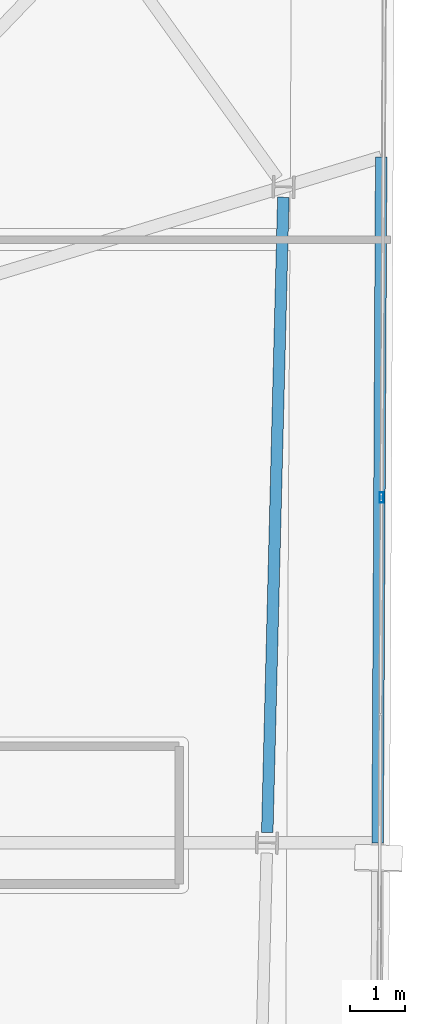
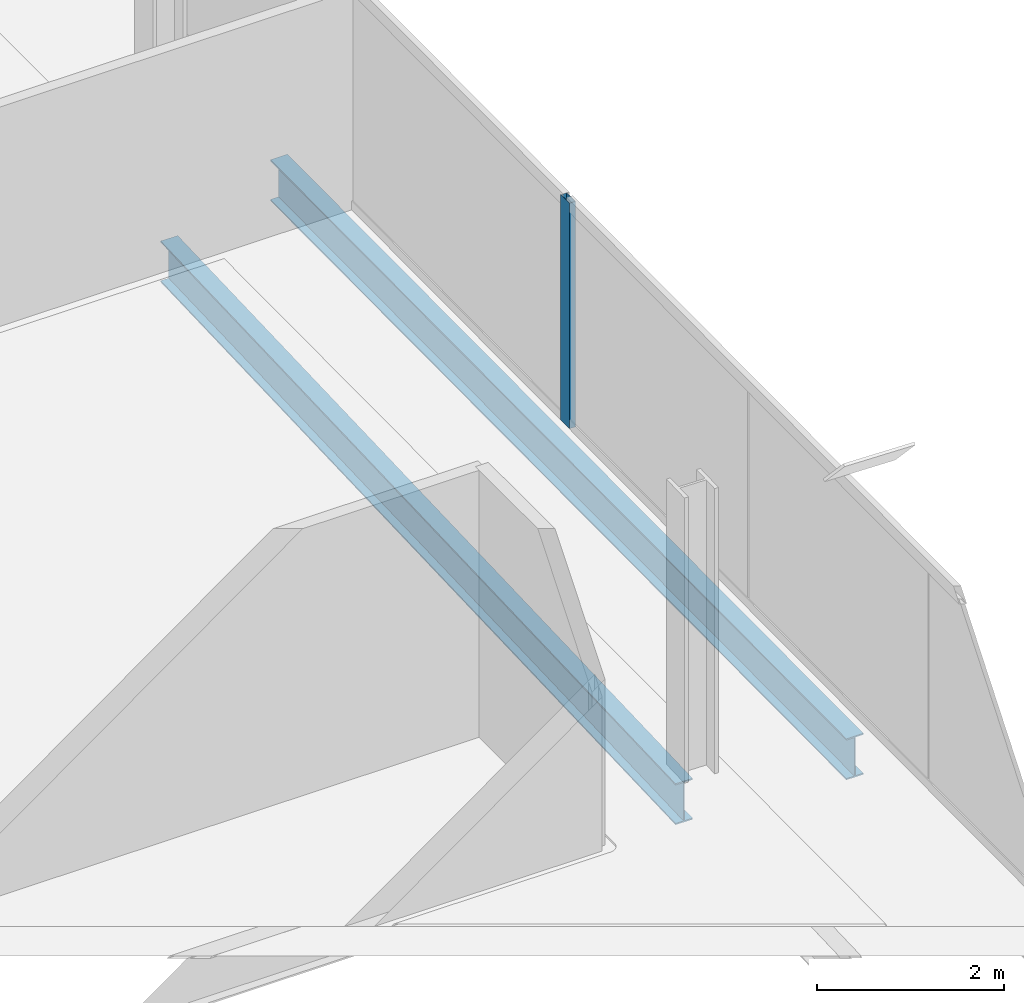
# One storey, part 12 of 24: 2 beams, 1 member, 1 element without a shape of its own.
"""IFC4 building model written with IfcOpenShell, lengths in metres."""

from ifc_helpers import new_model, si_unit, direction, frame, origin, origin_2d, place, context, subcontext, project, spatial, hollow_rectangle, i_section, extrude, material, material_profile, profile_set, type_object, element, aggregate, save


model = new_model("IFC4")

# Units and contexts
model_context = context("Model", 3, precision=1e-05, world=origin(), true_north=direction((0.0, 1.0)))
body_context = subcontext(model_context, "Body", "Model", "MODEL_VIEW")
ifc_project = project(units=[si_unit("LENGTHUNIT", "METRE"), si_unit("AREAUNIT", "SQUARE_METRE"), si_unit("VOLUMEUNIT", "CUBIC_METRE"), si_unit("PLANEANGLEUNIT", "RADIAN"), si_unit("MASSUNIT", "GRAM", prefix="KILO")], contexts=[model_context])

# Site, building, storey
site_placement = place(None, origin())
site = spatial("IfcSite", under=ifc_project, at=site_placement, CompositionType="ELEMENT")
building_placement = place(site_placement, origin())
building = spatial("IfcBuilding", under=site, at=building_placement, Name="Haldenkirk Collegiate Tower", CompositionType="ELEMENT")
storey_placement = place(building_placement, frame((0.0, 0.0, 328.949951171875)))
storey = spatial("IfcBuildingStorey", under=building, at=storey_placement, Name="L83", CompositionType="ELEMENT", Elevation=328.949951171875)

# Beams
ifc_material_1 = material(Name="Steel ASTM A992 Grade 50", Category="steel")
ifc_material_profile_1 = material_profile(ifc_material_1, i_section(OverallWidth=0.2099609375, OverallDepth=0.537109375, WebThickness=0.010986328125, FlangeThickness=0.017333984375, at=origin_2d()), Name="W21X68")
ifc_profile_set_1 = profile_set([ifc_material_profile_1], Name="Steel ASTM A992 Grade 50")
beam_type = type_object("IfcBeamType", Name="BM-SPANDREL-W21X68", PredefinedType="SPANDREL", material=ifc_profile_set_1)
beam_1_placement = place(storey_placement, frame((55.8984375, 25.684326171875, -0.528564453125), z_axis=(0.025302458902, 0.999679841536, 0.0), x_axis=(-0.999679841536, 0.025302458902, 0.0)))
element("IfcBeam", 1, at=beam_1_placement, inside=storey, type_object=beam_type, Name="L83 perimeter spandrel beam 03", PredefinedType="SPANDREL", context=body_context, shape_type="SweptSolid", body=[
    extrude(i_section(OverallWidth=0.2099609375, OverallDepth=0.537109375, WebThickness=0.010986328125, FlangeThickness=0.017333984375, at=origin_2d()), origin(), (0.0, 0.0, 1.0), 11.5400390625),
])
beam_2_placement = place(storey_placement, frame((57.902587890625, 25.496337890625, -0.528564453125), z_axis=(0.005234914446, 0.999986297741, 0.0), x_axis=(-0.999986297741, 0.005234914446, 0.0)))
element("IfcBeam", 2, at=beam_2_placement, inside=storey, type_object=beam_type, Name="L83 outer facade edge beam 1B", PredefinedType="SPANDREL", context=body_context, shape_type="SweptSolid", body=[
    extrude(i_section(OverallWidth=0.2099609375, OverallDepth=0.537109375, WebThickness=0.010986328125, FlangeThickness=0.017333984375, at=origin_2d()), origin(), (0.0, 0.0, 1.0), 12.4521484375),
])

# Curtain wall, member
ifc_material_2 = material(Name="Anodised architectural bronze aluminium", Category="aluminium")
curtain_wall_type = type_object("IfcCurtainWallType", Name="CW-SYS2-CONCAVE", PredefinedType="USERDEFINED", material=ifc_material_2)
curtain_wall_placement = place(storey_placement, origin())
curtain_wall = element("IfcCurtainWall", 3, at=curtain_wall_placement, inside=storey, type_object=curtain_wall_type, Name="L83 South concave recessed bronze-anodised curtain wall", ObjectType="UNITISED CURTAIN WALL", PredefinedType="USERDEFINED")
ifc_material_profile_2 = material_profile(ifc_material_2, hollow_rectangle(XDim=0.074951171875, YDim=0.18994140625, WallThickness=0.0048828125, at=origin_2d()), Name="CW-MUL-02")
ifc_profile_set_2 = profile_set([ifc_material_profile_2], Name="Anodised architectural bronze aluminium")
member_type = type_object("IfcMemberType", Name="CW-MUL-02", PredefinedType="MULLION", material=ifc_profile_set_2)
member_placement = place(storey_placement, frame((57.9755859375, 31.768310546875, 0.0), z_axis=(0.0, 0.0, 1.0), x_axis=(0.999986296614, -0.00523512989, 0.0)))
member = element("IfcMember", 4, at=member_placement, type_object=member_type, Name="CW-02 mullion 2", PredefinedType="MULLION", context=body_context, shape_type="SweptSolid", body=[
    extrude(hollow_rectangle(XDim=0.074951171875, YDim=0.18994140625, WallThickness=0.0048828125, at=origin_2d()), origin(), (0.0, 0.0, 1.0), 2.947998046875),
])
aggregate(curtain_wall, [member])

save(model, "model.ifc")
